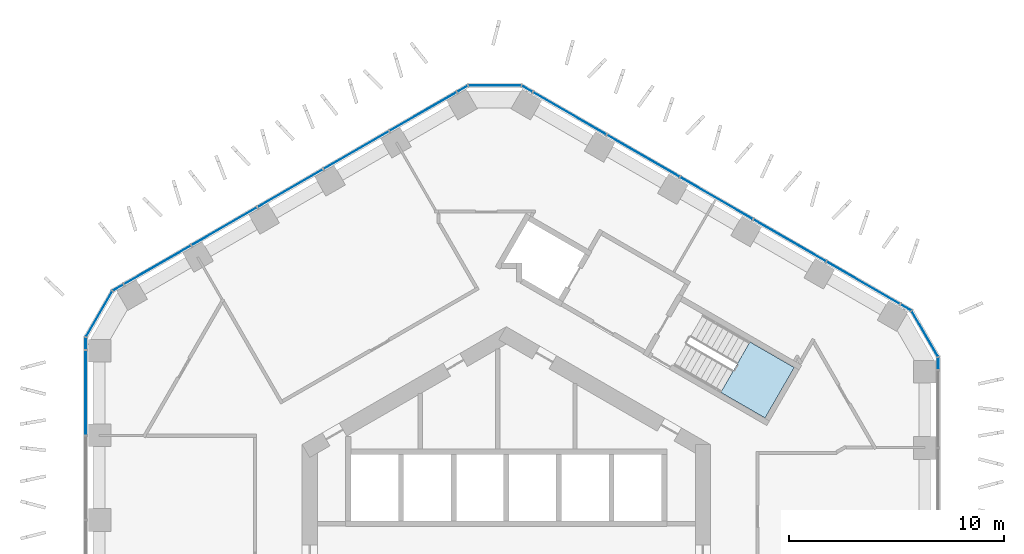
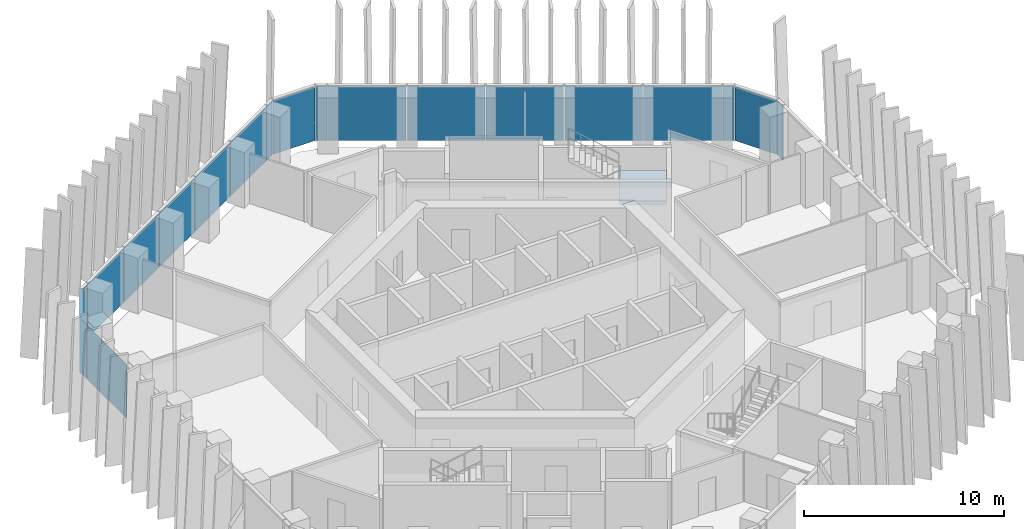
# One storey, part 12 of 19: 20 plates, 1 slab, 7 elements without a shape of their own.
"""IFC4 building model written with IfcOpenShell, lengths in metres."""

import ifcopenshell
import ifcopenshell.guid

model = None  # the IFC model being written
_history = None  # IfcOwnerHistory: only IFC2X3 demands one
_inside = {}  # id of a spatial element -> (the spatial element, [elements in it])
_under = {}  # id of a project, library or spatial element -> (it, [spatial elements below it])
_declared = {}  # id of a project -> (the project, [libraries it declares])
_typed = {}  # id of a type object -> (the type object, [elements of that type])
_made_of = {}  # id of a material, layer set ... -> (it, [elements and type objects made of it])


def new_model(schema):
    """Start an empty IFC model of exactly this schema.

    Asked for "IFC4X3", IfcOpenShell would pick the latest addendum, in which some entities
    have other attributes; the version numbers below select the first issue.
    IFC2X3 requires an IfcOwnerHistory on every rooted entity: one is made here for all.
    """
    global model, _history
    if schema == "IFC4X3":
        model = ifcopenshell.file(schema_version=(4, 3, 0, 0))
    else:
        model = ifcopenshell.file(schema=schema)
    _inside.clear()
    _under.clear()
    _declared.clear()
    _typed.clear()
    _made_of.clear()
    _history = None
    if model.schema == "IFC2X3":
        org = make("IfcOrganization", Name="unknown")
        user = make(
            "IfcPersonAndOrganization",
            ThePerson=make("IfcPerson", FamilyName="unknown"),
            TheOrganization=org,
        )
        app = make(
            "IfcApplication",
            ApplicationDeveloper=org,
            Version="unknown",
            ApplicationFullName="unknown",
            ApplicationIdentifier="unknown",
        )
        _history = make(
            "IfcOwnerHistory",
            OwningUser=user,
            OwningApplication=app,
            ChangeAction="ADDED",
            CreationDate=0,
        )
    return model


def make(cls, **values):
    """One entity of the class cls with the attributes given. An attribute that is None is left unset."""
    return model.create_entity(
        cls, **{name: value for name, value in values.items() if value is not None}
    )


def rooted(cls, **values):
    """An entity with a GlobalId (a new one), such as an element, a storey or a relation."""
    return make(cls, GlobalId=ifcopenshell.guid.new(), OwnerHistory=_history, **values)


def si_unit(unit_type, name, prefix=None):
    """IfcSIUnit, for example si_unit("LENGTHUNIT", "METRE", prefix="MILLI")."""
    return make("IfcSIUnit", UnitType=unit_type, Prefix=prefix, Name=name)


def assignment(units):
    """IfcUnitAssignment: the units of a project."""
    return None if units is None else make("IfcUnitAssignment", Units=units)


def point(xyz):
    """IfcCartesianPoint."""
    return None if xyz is None else make("IfcCartesianPoint", Coordinates=xyz)


def direction(xyz):
    """IfcDirection."""
    return None if xyz is None else make("IfcDirection", DirectionRatios=xyz)


def frame(location, z_axis=None, x_axis=None):
    """IfcAxis2Placement3D, a coordinate frame: its origin and axes. An axis left out is left unset."""
    return make(
        "IfcAxis2Placement3D",
        Location=point(location),
        Axis=direction(z_axis),
        RefDirection=direction(x_axis),
    )


def frame_2d(location, x_axis=None):
    """IfcAxis2Placement2D, a coordinate frame in the plane: its origin and x axis."""
    return make(
        "IfcAxis2Placement2D", Location=point(location), RefDirection=direction(x_axis)
    )


def origin():
    """The frame at (0, 0, 0) with its axes left unset."""
    return frame((0.0, 0.0, 0.0))


def origin_2d():
    """The frame at (0, 0) in the plane with its x axis left unset."""
    return frame_2d((0.0, 0.0))


def place(relative_to, where):
    """IfcLocalPlacement: puts the frame where relative to a parent placement (None: the world)."""
    return make(
        "IfcLocalPlacement", PlacementRelTo=relative_to, RelativePlacement=where
    )


def context(
    kind, dimensions, precision=None, world=None, true_north=None, identifier=None
):
    """IfcGeometricRepresentationContext, for example the 3D "Model" context."""
    return make(
        "IfcGeometricRepresentationContext",
        ContextIdentifier=identifier,
        ContextType=kind,
        CoordinateSpaceDimension=dimensions,
        Precision=precision,
        WorldCoordinateSystem=world,
        TrueNorth=true_north,
    )


def subcontext(parent, identifier, kind, view, scale=None):
    """IfcGeometricRepresentationSubContext, for example "Body" below "Model"."""
    return make(
        "IfcGeometricRepresentationSubContext",
        ContextIdentifier=identifier,
        ContextType=kind,
        ParentContext=parent,
        TargetScale=scale,
        TargetView=view,
    )


def project(units=None, contexts=None):
    """IfcProject with its units and contexts."""
    return rooted(
        "IfcProject",
        Name="project",
        RepresentationContexts=contexts,
        UnitsInContext=assignment(units),
    )


def spatial(cls, under=None, at=None, **own):
    """A site, building, storey or space (cls), placed at a placement, below another one or the project."""
    s = rooted(cls, ObjectPlacement=at, **own)
    if under is not None:
        _under.setdefault(under.id(), (under, []))[1].append(s)
    return s


def polyline(points):
    """IfcPolyline through the points."""
    return make("IfcPolyline", Points=[point(p) for p in points])


def profile(cls, at=None, kind="AREA", **sizes):
    """A parametric profile (cls). Its sizes go by their IFC names, for example OverallWidth=200.0."""
    return make(cls, ProfileType=kind, Position=at, **sizes)


def rectangle(**sizes):
    """IfcRectangleProfileDef."""
    return profile("IfcRectangleProfileDef", **sizes)


def outline(outer, holes=None, kind="AREA"):
    """IfcArbitraryClosedProfileDef: a profile drawn as a closed curve; with holes, ...WithVoids."""
    if holes is None:
        return make("IfcArbitraryClosedProfileDef", ProfileType=kind, OuterCurve=outer)
    return make(
        "IfcArbitraryProfileDefWithVoids",
        ProfileType=kind,
        OuterCurve=outer,
        InnerCurves=holes,
    )


def extrude(swept, where, along, depth):
    """IfcExtrudedAreaSolid: the profile swept, set in the frame where, extruded along a direction by depth."""
    return make(
        "IfcExtrudedAreaSolid",
        SweptArea=swept,
        Position=where,
        ExtrudedDirection=direction(along),
        Depth=depth,
    )


def shape(context_of_items, identifier, shape_type, items):
    """IfcShapeRepresentation: the items that make up one representation, for example the "Body"."""
    return make(
        "IfcShapeRepresentation",
        ContextOfItems=context_of_items,
        RepresentationIdentifier=identifier,
        RepresentationType=shape_type,
        Items=items,
    )


def material(Name=None, Category=None):
    """IfcMaterial."""
    return make("IfcMaterial", Name=Name, Category=Category)


def layer(
    of_material, thickness, ventilated=None, Name=None, Category=None, Priority=None
):
    """IfcMaterialLayer: one layer of a wall or slab, of a material (None: an air gap)."""
    return make(
        "IfcMaterialLayer",
        Material=of_material,
        LayerThickness=thickness,
        IsVentilated=ventilated,
        Name=Name,
        Category=Category,
        Priority=Priority,
    )


def layer_set(layers, Name=None):
    """IfcMaterialLayerSet."""
    return make("IfcMaterialLayerSet", MaterialLayers=layers, LayerSetName=Name)


def made_of(thing, what):
    """Note that an element or type object is made of a material, layer set ...; save() writes the relation."""
    if what is not None:
        _made_of.setdefault(what.id(), (what, []))[1].append(thing)
    return thing


def type_object(cls, material=None, **own):
    """A type object (cls), such as IfcWallType, which elements share."""
    return made_of(rooted(cls, **own), material)


def element(
    cls,
    number,
    at=None,
    inside=None,
    cuts=None,
    type_object=None,
    material=None,
    context=None,
    identifier="Body",
    shape_type=None,
    held_by="IfcProductDefinitionShape",
    body=None,
    shapes=None,
    **own,
):
    """One element of the class cls, such as IfcWall. Its Tag is "e" and its number.

    at: its placement. inside: the storey or other place that contains it. cuts: it is an
    opening in that element (IfcRelVoidsElement). A single representation is given by context,
    identifier, shape_type and body (its items); several are given by shapes. held_by: the class
    of the entity that holds the representations. save() writes the other relations.
    """
    e = rooted(cls, Tag="e%d" % number, ObjectPlacement=at, **own)
    if body is not None:
        shapes = [shape(context, identifier, shape_type, body)]
    if shapes is not None:
        e.Representation = make(held_by, Representations=shapes)
    if inside is not None:
        _inside.setdefault(inside.id(), (inside, []))[1].append(e)
    if cuts is not None:
        rooted(
            "IfcRelVoidsElement", RelatingBuildingElement=cuts, RelatedOpeningElement=e
        )
    if type_object is not None:
        _typed.setdefault(type_object.id(), (type_object, []))[1].append(e)
    return made_of(e, material)


def aggregate(whole, parts):
    """IfcRelAggregates: a whole, such as a stair, and the parts it consists of."""
    return rooted("IfcRelAggregates", RelatingObject=whole, RelatedObjects=parts)


def save(model, path):
    """Write the relations noted so far, then the file.

    IfcRelAggregates (storeys below a building ...), IfcRelContainedInSpatialStructure (elements
    in a storey), IfcRelDefinesByType, IfcRelAssociatesMaterial and IfcRelDeclares: one each for
    every whole, place, type object, material and project.
    """
    for whole, parts in _under.values():
        aggregate(whole, parts)
    for where, things in _inside.values():
        rooted(
            "IfcRelContainedInSpatialStructure",
            RelatedElements=things,
            RelatingStructure=where,
        )
    for kind, things in _typed.values():
        rooted("IfcRelDefinesByType", RelatedObjects=things, RelatingType=kind)
    for what, things in _made_of.values():
        rooted("IfcRelAssociatesMaterial", RelatedObjects=things, RelatingMaterial=what)
    for by, libraries in _declared.values():
        rooted("IfcRelDeclares", RelatingContext=by, RelatedDefinitions=libraries)
    model.write(path)


model = new_model("IFC4")

# Units and contexts
model_context = context("Model", 3, precision=1e-05, world=origin(), true_north=direction((0.0, 1.0)))
body_context = subcontext(model_context, "Body", "Model", "MODEL_VIEW")
ifc_project = project(units=[si_unit("LENGTHUNIT", "METRE"), si_unit("AREAUNIT", "SQUARE_METRE"), si_unit("VOLUMEUNIT", "CUBIC_METRE"), si_unit("PLANEANGLEUNIT", "RADIAN"), si_unit("MASSUNIT", "GRAM", prefix="KILO")], contexts=[model_context])

# Site, building, storey
site_placement = place(None, origin())
site = spatial("IfcSite", under=ifc_project, at=site_placement, CompositionType="ELEMENT")
building_placement = place(site_placement, origin())
building = spatial("IfcBuilding", under=site, at=building_placement, Name="Ayvan Gate Tower", CompositionType="ELEMENT")
storey_placement = place(building_placement, frame((0.0, 0.0, 113.699951171875)))
storey = spatial("IfcBuildingStorey", under=building, at=storey_placement, Name="L30", CompositionType="ELEMENT", Elevation=113.699951171875)

# Stair, slab
ifc_material_1 = material(Name="Concrete C40/50", Category="concrete")
stair_type = type_object("IfcStairType", Name="ST-EXIT", PredefinedType="HALF_TURN_STAIR", material=ifc_material_1)
stair_placement = place(storey_placement, origin())
stair = element("IfcStair", 1, at=stair_placement, inside=storey, type_object=stair_type, Name="L30 Exit Stair S1", PredefinedType="HALF_TURN_STAIR")
ifc_layer_1 = layer(ifc_material_1, 0.199951171875)
ifc_layer_set_1 = layer_set([ifc_layer_1], Name="Concrete C40/50")
slab_type = type_object("IfcSlabType", Name="SL-LANDING-200", PredefinedType="LANDING", material=ifc_layer_set_1)
slab_placement = place(storey_placement, frame((0.0, 0.0, 1.5)))
slab = element("IfcSlab", 2, at=slab_placement, type_object=slab_type, Name="STS1 landing 1", PredefinedType="LANDING", context=body_context, shape_type="SweptSolid", body=[
    extrude(outline(polyline([(9.988525390625, 7.91064453125), (12.049560546875, 6.720458984375), (13.404541015625, 9.0673828125), (11.343505859375, 10.257568359375), (9.988525390625, 7.91064453125)])), origin(), (0.0, 0.0, 1.0), 0.199951171875),
])
aggregate(stair, [slab])

# Curtain wall, plates
ifc_material_2 = material(Name="Bronze anodised aluminium", Category="aluminium")
ifc_layer_2 = layer(ifc_material_2, 0.199951171875)
ifc_layer_set_2 = layer_set([ifc_layer_2], Name="Bronze anodised aluminium")
curtain_wall_type_1 = type_object("IfcCurtainWallType", Name="Stick curtain wall CW-1", PredefinedType="NOTDEFINED", material=ifc_layer_set_2)
curtain_wall_1_placement = place(storey_placement, origin())
curtain_wall_1 = element("IfcCurtainWall", 3, at=curtain_wall_1_placement, inside=storey, type_object=curtain_wall_type_1, Name="Stick curtain wall CW-1 L30", PredefinedType="NOTDEFINED")
ifc_material_3 = material(Name="Clear low-iron laminated glass", Category="glass")
ifc_layer_3 = layer(ifc_material_3, 0.028076171875)
ifc_layer_set_3 = layer_set([ifc_layer_3], Name="Clear low-iron laminated glass")
plate_type_1 = type_object("IfcPlateType", Name="Stick curtain wall CW-1 glass panel", PredefinedType="CURTAIN_PANEL", material=ifc_layer_set_3)
plate_1_placement = place(storey_placement, frame((-3.861572265625, 20.9921875, 0.0), z_axis=(0.0, 0.0, 1.0), x_axis=(-0.866025403784, -0.5, 0.0)))
plate_1 = element("IfcPlate", 4, at=plate_1_placement, type_object=plate_type_1, Name="CW-1 glass panel 1", PredefinedType="CURTAIN_PANEL", context=body_context, shape_type="SweptSolid", body=[
    extrude(rectangle(XDim=3.60302734375, YDim=0.028076171875, at=origin_2d()), origin(), (0.0, 0.0, 1.0), 3.280029296875),
])
plate_2_placement = place(storey_placement, frame((-6.9833984375, 19.189697265625, 0.0), z_axis=(0.0, 0.0, 1.0), x_axis=(-0.866025403784, -0.5, 0.0)))
plate_2 = element("IfcPlate", 5, at=plate_2_placement, type_object=plate_type_1, Name="CW-1 glass panel 2", PredefinedType="CURTAIN_PANEL", context=body_context, shape_type="SweptSolid", body=[
    extrude(rectangle(XDim=3.487060546875, YDim=0.028076171875, at=origin_2d()), origin(), (0.0, 0.0, 1.0), 3.280029296875),
])
plate_3_placement = place(storey_placement, frame((-10.055419921875, 17.416259765625, 0.0), z_axis=(0.0, 0.0, 1.0), x_axis=(-0.866025403784, -0.5, 0.0)))
plate_3 = element("IfcPlate", 6, at=plate_3_placement, type_object=plate_type_1, Name="CW-1 glass panel 3", PredefinedType="CURTAIN_PANEL", context=body_context, shape_type="SweptSolid", body=[
    extrude(rectangle(XDim=3.487060546875, YDim=0.028076171875, at=origin_2d()), origin(), (0.0, 0.0, 1.0), 3.280029296875),
])
plate_4_placement = place(storey_placement, frame((-13.127197265625, 15.642822265625, 0.0), z_axis=(0.0, 0.0, 1.0), x_axis=(-0.866025403784, -0.5, 0.0)))
plate_4 = element("IfcPlate", 7, at=plate_4_placement, type_object=plate_type_1, Name="CW-1 glass panel 4", PredefinedType="CURTAIN_PANEL", context=body_context, shape_type="SweptSolid", body=[
    extrude(rectangle(XDim=3.487060546875, YDim=0.028076171875, at=origin_2d()), origin(), (0.0, 0.0, 1.0), 3.280029296875),
])
plate_5_placement = place(storey_placement, frame((-16.2490234375, 13.84033203125, 0.0), z_axis=(0.0, 0.0, 1.0), x_axis=(-0.866025403784, -0.5, 0.0)))
plate_5 = element("IfcPlate", 8, at=plate_5_placement, type_object=plate_type_1, Name="CW-1 glass panel 5", PredefinedType="CURTAIN_PANEL", context=body_context, shape_type="SweptSolid", body=[
    extrude(rectangle(XDim=3.60302734375, YDim=0.028076171875, at=origin_2d()), origin(), (0.0, 0.0, 1.0), 3.280029296875),
])
aggregate(curtain_wall_1, [plate_1, plate_2, plate_3, plate_4, plate_5])

# Curtain wall, plate
curtain_wall_2_placement = place(storey_placement, origin())
curtain_wall_2 = element("IfcCurtainWall", 9, at=curtain_wall_2_placement, inside=storey, type_object=curtain_wall_type_1, Name="Stick curtain wall CW-1 L30", PredefinedType="NOTDEFINED")
plate_6_placement = place(storey_placement, frame((-19.576416015625, 7.9072265625, 0.0), z_axis=(0.0, 0.0, 1.0), x_axis=(0.0, -1.0, 0.0)))
plate_6 = element("IfcPlate", 10, at=plate_6_placement, type_object=plate_type_1, Name="CW-1 glass panel 1", PredefinedType="CURTAIN_PANEL", context=body_context, shape_type="SweptSolid", body=[
    extrude(rectangle(XDim=3.943115234375, YDim=0.028076171875, at=origin_2d()), origin(), (0.0, 0.0, 1.0), 3.280029296875),
])
aggregate(curtain_wall_2, [plate_6])

# Curtain wall, plates
curtain_wall_3_placement = place(storey_placement, origin())
curtain_wall_3 = element("IfcCurtainWall", 11, at=curtain_wall_3_placement, inside=storey, type_object=curtain_wall_type_1, Name="Stick curtain wall CW-1 L30", PredefinedType="NOTDEFINED")
plate_7_placement = place(storey_placement, frame((16.635986328125, 13.000244140625, 0.0), z_axis=(0.0, 0.0, 1.0), x_axis=(-0.866025403784, 0.5, 0.0)))
plate_7 = element("IfcPlate", 12, at=plate_7_placement, type_object=plate_type_1, Name="CW-1 glass panel 1", PredefinedType="CURTAIN_PANEL", context=body_context, shape_type="SweptSolid", body=[
    extrude(rectangle(XDim=3.943115234375, YDim=0.028076171875, at=origin_2d()), origin(), (0.0, 0.0, 1.0), 3.280029296875),
])
plate_8_placement = place(storey_placement, frame((13.19775390625, 14.985107421875, 0.0), z_axis=(0.0, 0.0, 1.0), x_axis=(-0.866025403784, 0.5, 0.0)))
plate_8 = element("IfcPlate", 13, at=plate_8_placement, type_object=plate_type_1, Name="CW-1 glass panel 2", PredefinedType="CURTAIN_PANEL", context=body_context, shape_type="SweptSolid", body=[
    extrude(rectangle(XDim=3.876953125, YDim=0.028076171875, at=origin_2d()), origin(), (0.0, 0.0, 1.0), 3.280029296875),
])
plate_9_placement = place(storey_placement, frame((9.788330078125, 16.95361328125, 0.0), z_axis=(0.0, 0.0, 1.0), x_axis=(-0.866025403784, 0.5, 0.0)))
plate_9 = element("IfcPlate", 14, at=plate_9_placement, type_object=plate_type_1, Name="CW-1 glass panel 3", PredefinedType="CURTAIN_PANEL", context=body_context, shape_type="SweptSolid", body=[
    extrude(rectangle(XDim=3.876953125, YDim=0.028076171875, at=origin_2d()), origin(), (0.0, 0.0, 1.0), 3.280029296875),
])
plate_10_placement = place(storey_placement, frame((6.37841796875, 18.92236328125, 0.0), z_axis=(0.0, 0.0, 1.0), x_axis=(-0.866025403784, 0.5, 0.0)))
plate_10 = element("IfcPlate", 15, at=plate_10_placement, type_object=plate_type_1, Name="CW-1 glass panel 4", PredefinedType="CURTAIN_PANEL", context=body_context, shape_type="SweptSolid", body=[
    extrude(rectangle(XDim=3.8779296875, YDim=0.028076171875, at=origin_2d()), origin(), (0.0, 0.0, 1.0), 3.280029296875),
])
plate_11_placement = place(storey_placement, frame((2.940185546875, 20.907470703125, 0.0), z_axis=(0.0, 0.0, 1.0), x_axis=(-0.866025403784, 0.5, 0.0)))
plate_11 = element("IfcPlate", 16, at=plate_11_placement, type_object=plate_type_1, Name="CW-1 glass panel 5", PredefinedType="CURTAIN_PANEL", context=body_context, shape_type="SweptSolid", body=[
    extrude(rectangle(XDim=3.942138671875, YDim=0.028076171875, at=origin_2d()), origin(), (0.0, 0.0, 1.0), 3.280029296875),
])
aggregate(curtain_wall_3, [plate_7, plate_8, plate_9, plate_10, plate_11])

ifc_layer_4 = layer(ifc_material_2, 0.199951171875)
ifc_layer_set_4 = layer_set([ifc_layer_4], Name="Bronze anodised aluminium")
curtain_wall_type_2 = type_object("IfcCurtainWallType", Name="Stick curtain wall CW-6", PredefinedType="NOTDEFINED", material=ifc_layer_set_4)
curtain_wall_4_placement = place(storey_placement, origin())
curtain_wall_4 = element("IfcCurtainWall", 17, at=curtain_wall_4_placement, inside=storey, type_object=curtain_wall_type_2, Name="Stick curtain wall CW-6 L30", PredefinedType="NOTDEFINED")
ifc_layer_5 = layer(ifc_material_3, 0.028076171875)
ifc_layer_set_5 = layer_set([ifc_layer_5], Name="Clear low-iron laminated glass")
plate_type_2 = type_object("IfcPlateType", Name="Stick curtain wall CW-6 glass panel", PredefinedType="CURTAIN_PANEL", material=ifc_layer_set_5)
plate_12_placement = place(storey_placement, frame((-18.0732421875, 12.787109375, 0.0), z_axis=(0.0, 0.0, 1.0), x_axis=(-0.866025403784, -0.5, 0.0)))
plate_12 = element("IfcPlate", 18, at=plate_12_placement, type_object=plate_type_2, Name="CW-6 glass panel 1", PredefinedType="CURTAIN_PANEL", context=body_context, shape_type="SweptSolid", body=[
    extrude(rectangle(XDim=0.550048828125, YDim=0.028076171875, at=origin_2d()), origin(), (0.0, 0.0, 1.0), 3.280029296875),
])
plate_13_placement = place(storey_placement, frame((-18.954833984375, 11.560302734375, 0.0), z_axis=(0.0, 0.0, 1.0), x_axis=(-0.5, -0.866025403784, 0.0)))
plate_13 = element("IfcPlate", 19, at=plate_13_placement, type_object=plate_type_2, Name="CW-6 glass panel 2", PredefinedType="CURTAIN_PANEL", context=body_context, shape_type="SweptSolid", body=[
    extrude(rectangle(XDim=2.4365234375, YDim=0.028076171875, at=origin_2d()), origin(), (0.0, 0.0, 1.0), 3.280029296875),
])
plate_14_placement = place(storey_placement, frame((-19.576416015625, 10.18359375, 0.0), z_axis=(0.0, 0.0, 1.0), x_axis=(0.0, -1.0, 0.0)))
plate_14 = element("IfcPlate", 20, at=plate_14_placement, type_object=plate_type_2, Name="CW-6 glass panel 3", PredefinedType="CURTAIN_PANEL", context=body_context, shape_type="SweptSolid", body=[
    extrude(rectangle(XDim=0.550048828125, YDim=0.028076171875, at=origin_2d()), origin(), (0.0, 0.0, 1.0), 3.280029296875),
])
aggregate(curtain_wall_4, [plate_12, plate_13, plate_14])

curtain_wall_5_placement = place(storey_placement, origin())
curtain_wall_5 = element("IfcCurtainWall", 21, at=curtain_wall_5_placement, inside=storey, type_object=curtain_wall_type_2, Name="Stick curtain wall CW-6 L30", PredefinedType="NOTDEFINED")
plate_15_placement = place(storey_placement, frame((20.110595703125, 9.258544921875, 0.0), z_axis=(0.0, 0.0, 1.0), x_axis=(0.0, 1.0, 0.0)))
plate_15 = element("IfcPlate", 22, at=plate_15_placement, type_object=plate_type_2, Name="CW-6 glass panel 1", PredefinedType="CURTAIN_PANEL", context=body_context, shape_type="SweptSolid", body=[
    extrude(rectangle(XDim=0.550048828125, YDim=0.028076171875, at=origin_2d()), origin(), (0.0, 0.0, 1.0), 3.280029296875),
])
plate_16_placement = place(storey_placement, frame((19.489013671875, 10.63525390625, 0.0), z_axis=(0.0, 0.0, 1.0), x_axis=(-0.5, 0.866025403784, 0.0)))
plate_16 = element("IfcPlate", 23, at=plate_16_placement, type_object=plate_type_2, Name="CW-6 glass panel 2", PredefinedType="CURTAIN_PANEL", context=body_context, shape_type="SweptSolid", body=[
    extrude(rectangle(XDim=2.4365234375, YDim=0.028076171875, at=origin_2d()), origin(), (0.0, 0.0, 1.0), 3.280029296875),
])
plate_17_placement = place(storey_placement, frame((18.607421875, 11.86181640625, 0.0), z_axis=(0.0, 0.0, 1.0), x_axis=(-0.866025403784, 0.5, 0.0)))
plate_17 = element("IfcPlate", 24, at=plate_17_placement, type_object=plate_type_2, Name="CW-6 glass panel 3", PredefinedType="CURTAIN_PANEL", context=body_context, shape_type="SweptSolid", body=[
    extrude(rectangle(XDim=0.550048828125, YDim=0.028076171875, at=origin_2d()), origin(), (0.0, 0.0, 1.0), 3.280029296875),
])
aggregate(curtain_wall_5, [plate_15, plate_16, plate_17])

curtain_wall_6_placement = place(storey_placement, origin())
curtain_wall_6 = element("IfcCurtainWall", 25, at=curtain_wall_6_placement, inside=storey, type_object=curtain_wall_type_2, Name="Stick curtain wall CW-6 L30", PredefinedType="NOTDEFINED")
plate_18_placement = place(storey_placement, frame((0.968994140625, 22.04541015625, 0.0), z_axis=(0.0, 0.0, 1.0), x_axis=(-0.866025403784, 0.5, 0.0)))
plate_18 = element("IfcPlate", 26, at=plate_18_placement, type_object=plate_type_2, Name="CW-6 glass panel 1", PredefinedType="CURTAIN_PANEL", context=body_context, shape_type="SweptSolid", body=[
    extrude(rectangle(XDim=0.550048828125, YDim=0.028076171875, at=origin_2d()), origin(), (0.0, 0.0, 1.0), 3.280029296875),
])
plate_19_placement = place(storey_placement, frame((-0.5341796875, 22.195556640625, 0.0), z_axis=(0.0, 0.0, 1.0), x_axis=(-1.0, 0.0, 0.0)))
plate_19 = element("IfcPlate", 27, at=plate_19_placement, type_object=plate_type_2, Name="CW-6 glass panel 2", PredefinedType="CURTAIN_PANEL", context=body_context, shape_type="SweptSolid", body=[
    extrude(rectangle(XDim=2.4365234375, YDim=0.028076171875, at=origin_2d()), origin(), (0.0, 0.0, 1.0), 3.280029296875),
])
plate_20_placement = place(storey_placement, frame((-2.037109375, 22.04541015625, 0.0), z_axis=(0.0, 0.0, 1.0), x_axis=(-0.866025403784, -0.5, 0.0)))
plate_20 = element("IfcPlate", 28, at=plate_20_placement, type_object=plate_type_2, Name="CW-6 glass panel 3", PredefinedType="CURTAIN_PANEL", context=body_context, shape_type="SweptSolid", body=[
    extrude(rectangle(XDim=0.550048828125, YDim=0.028076171875, at=origin_2d()), origin(), (0.0, 0.0, 1.0), 3.280029296875),
])
aggregate(curtain_wall_6, [plate_18, plate_19, plate_20])

save(model, "model.ifc")
